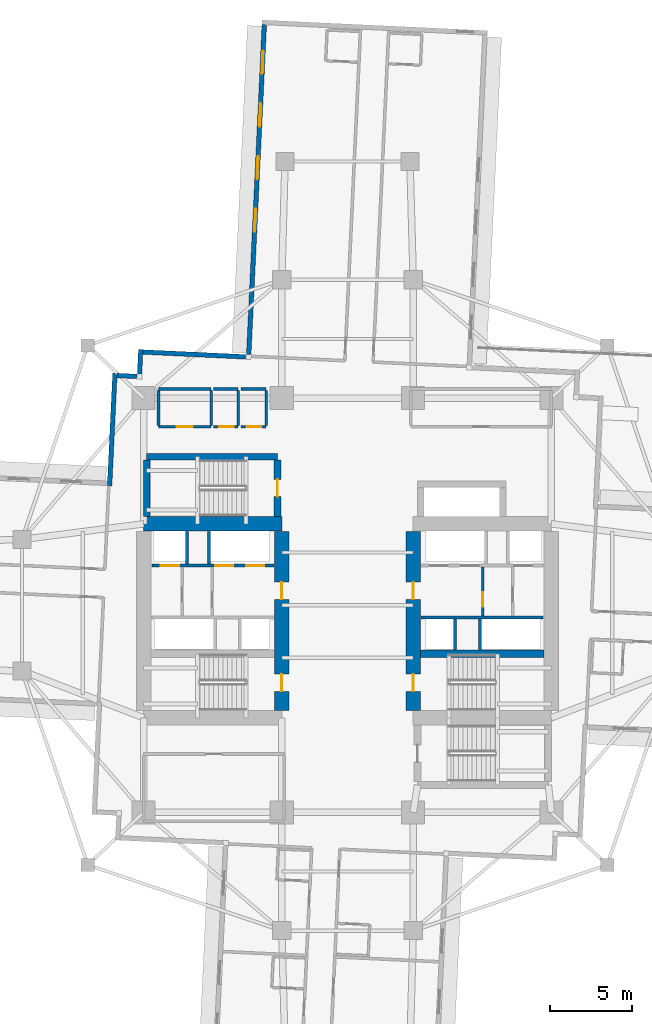
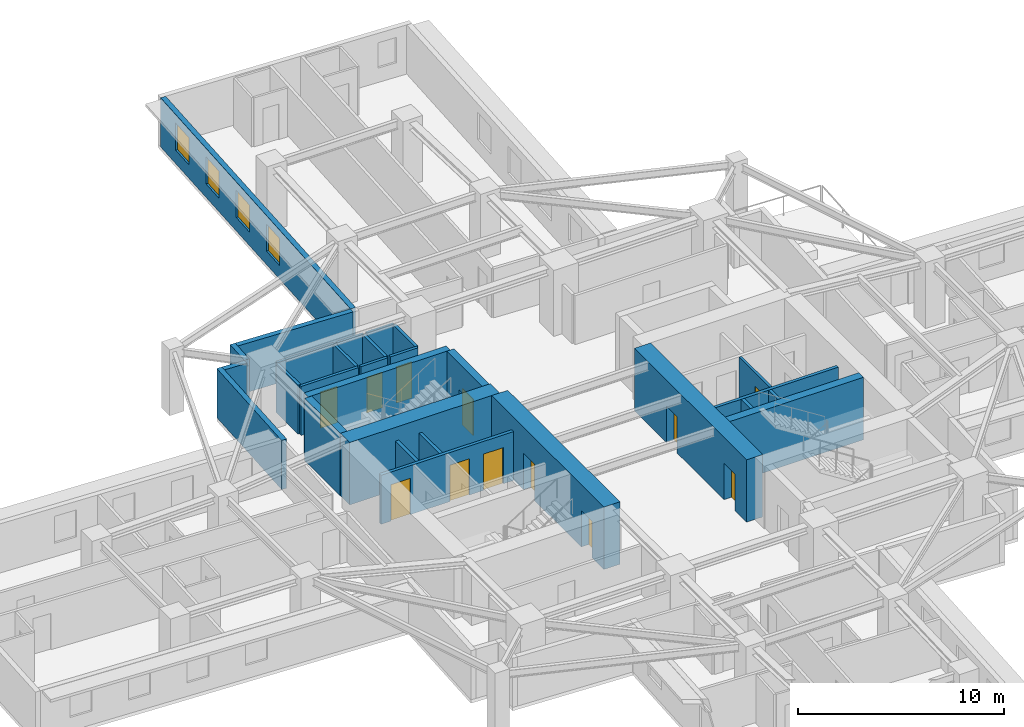
# One storey, part 6 of 14: 29 walls, 12 doors, 4 windows, 16 openings.
"""IFC4 building model written with IfcOpenShell, lengths in metres."""

import ifcopenshell
import ifcopenshell.guid

model = None  # the IFC model being written
_history = None  # IfcOwnerHistory: only IFC2X3 demands one
_inside = {}  # id of a spatial element -> (the spatial element, [elements in it])
_under = {}  # id of a project, library or spatial element -> (it, [spatial elements below it])
_declared = {}  # id of a project -> (the project, [libraries it declares])
_typed = {}  # id of a type object -> (the type object, [elements of that type])
_made_of = {}  # id of a material, layer set ... -> (it, [elements and type objects made of it])


def new_model(schema):
    """Start an empty IFC model of exactly this schema.

    Asked for "IFC4X3", IfcOpenShell would pick the latest addendum, in which some entities
    have other attributes; the version numbers below select the first issue.
    IFC2X3 requires an IfcOwnerHistory on every rooted entity: one is made here for all.
    """
    global model, _history
    if schema == "IFC4X3":
        model = ifcopenshell.file(schema_version=(4, 3, 0, 0))
    else:
        model = ifcopenshell.file(schema=schema)
    _inside.clear()
    _under.clear()
    _declared.clear()
    _typed.clear()
    _made_of.clear()
    _history = None
    if model.schema == "IFC2X3":
        org = make("IfcOrganization", Name="unknown")
        user = make(
            "IfcPersonAndOrganization",
            ThePerson=make("IfcPerson", FamilyName="unknown"),
            TheOrganization=org,
        )
        app = make(
            "IfcApplication",
            ApplicationDeveloper=org,
            Version="unknown",
            ApplicationFullName="unknown",
            ApplicationIdentifier="unknown",
        )
        _history = make(
            "IfcOwnerHistory",
            OwningUser=user,
            OwningApplication=app,
            ChangeAction="ADDED",
            CreationDate=0,
        )
    return model


def make(cls, **values):
    """One entity of the class cls with the attributes given. An attribute that is None is left unset."""
    return model.create_entity(
        cls, **{name: value for name, value in values.items() if value is not None}
    )


def rooted(cls, **values):
    """An entity with a GlobalId (a new one), such as an element, a storey or a relation."""
    return make(cls, GlobalId=ifcopenshell.guid.new(), OwnerHistory=_history, **values)


def si_unit(unit_type, name, prefix=None):
    """IfcSIUnit, for example si_unit("LENGTHUNIT", "METRE", prefix="MILLI")."""
    return make("IfcSIUnit", UnitType=unit_type, Prefix=prefix, Name=name)


def assignment(units):
    """IfcUnitAssignment: the units of a project."""
    return None if units is None else make("IfcUnitAssignment", Units=units)


def point(xyz):
    """IfcCartesianPoint."""
    return None if xyz is None else make("IfcCartesianPoint", Coordinates=xyz)


def direction(xyz):
    """IfcDirection."""
    return None if xyz is None else make("IfcDirection", DirectionRatios=xyz)


def frame(location, z_axis=None, x_axis=None):
    """IfcAxis2Placement3D, a coordinate frame: its origin and axes. An axis left out is left unset."""
    return make(
        "IfcAxis2Placement3D",
        Location=point(location),
        Axis=direction(z_axis),
        RefDirection=direction(x_axis),
    )


def frame_2d(location, x_axis=None):
    """IfcAxis2Placement2D, a coordinate frame in the plane: its origin and x axis."""
    return make(
        "IfcAxis2Placement2D", Location=point(location), RefDirection=direction(x_axis)
    )


def origin():
    """The frame at (0, 0, 0) with its axes left unset."""
    return frame((0.0, 0.0, 0.0))


def place(relative_to, where):
    """IfcLocalPlacement: puts the frame where relative to a parent placement (None: the world)."""
    return make(
        "IfcLocalPlacement", PlacementRelTo=relative_to, RelativePlacement=where
    )


def context(
    kind, dimensions, precision=None, world=None, true_north=None, identifier=None
):
    """IfcGeometricRepresentationContext, for example the 3D "Model" context."""
    return make(
        "IfcGeometricRepresentationContext",
        ContextIdentifier=identifier,
        ContextType=kind,
        CoordinateSpaceDimension=dimensions,
        Precision=precision,
        WorldCoordinateSystem=world,
        TrueNorth=true_north,
    )


def subcontext(parent, identifier, kind, view, scale=None):
    """IfcGeometricRepresentationSubContext, for example "Body" below "Model"."""
    return make(
        "IfcGeometricRepresentationSubContext",
        ContextIdentifier=identifier,
        ContextType=kind,
        ParentContext=parent,
        TargetScale=scale,
        TargetView=view,
    )


def project(units=None, contexts=None):
    """IfcProject with its units and contexts."""
    return rooted(
        "IfcProject",
        Name="project",
        RepresentationContexts=contexts,
        UnitsInContext=assignment(units),
    )


def spatial(cls, under=None, at=None, **own):
    """A site, building, storey or space (cls), placed at a placement, below another one or the project."""
    s = rooted(cls, ObjectPlacement=at, **own)
    if under is not None:
        _under.setdefault(under.id(), (under, []))[1].append(s)
    return s


def profile(cls, at=None, kind="AREA", **sizes):
    """A parametric profile (cls). Its sizes go by their IFC names, for example OverallWidth=200.0."""
    return make(cls, ProfileType=kind, Position=at, **sizes)


def rectangle(**sizes):
    """IfcRectangleProfileDef."""
    return profile("IfcRectangleProfileDef", **sizes)


def extrude(swept, where, along, depth):
    """IfcExtrudedAreaSolid: the profile swept, set in the frame where, extruded along a direction by depth."""
    return make(
        "IfcExtrudedAreaSolid",
        SweptArea=swept,
        Position=where,
        ExtrudedDirection=direction(along),
        Depth=depth,
    )


def shape(context_of_items, identifier, shape_type, items):
    """IfcShapeRepresentation: the items that make up one representation, for example the "Body"."""
    return make(
        "IfcShapeRepresentation",
        ContextOfItems=context_of_items,
        RepresentationIdentifier=identifier,
        RepresentationType=shape_type,
        Items=items,
    )


def material(Name=None, Category=None):
    """IfcMaterial."""
    return make("IfcMaterial", Name=Name, Category=Category)


def layer(
    of_material, thickness, ventilated=None, Name=None, Category=None, Priority=None
):
    """IfcMaterialLayer: one layer of a wall or slab, of a material (None: an air gap)."""
    return make(
        "IfcMaterialLayer",
        Material=of_material,
        LayerThickness=thickness,
        IsVentilated=ventilated,
        Name=Name,
        Category=Category,
        Priority=Priority,
    )


def layer_set(layers, Name=None):
    """IfcMaterialLayerSet."""
    return make("IfcMaterialLayerSet", MaterialLayers=layers, LayerSetName=Name)


def made_of(thing, what):
    """Note that an element or type object is made of a material, layer set ...; save() writes the relation."""
    if what is not None:
        _made_of.setdefault(what.id(), (what, []))[1].append(thing)
    return thing


def type_object(cls, material=None, **own):
    """A type object (cls), such as IfcWallType, which elements share."""
    return made_of(rooted(cls, **own), material)


def element(
    cls,
    number,
    at=None,
    inside=None,
    cuts=None,
    type_object=None,
    material=None,
    context=None,
    identifier="Body",
    shape_type=None,
    held_by="IfcProductDefinitionShape",
    body=None,
    shapes=None,
    **own,
):
    """One element of the class cls, such as IfcWall. Its Tag is "e" and its number.

    at: its placement. inside: the storey or other place that contains it. cuts: it is an
    opening in that element (IfcRelVoidsElement). A single representation is given by context,
    identifier, shape_type and body (its items); several are given by shapes. held_by: the class
    of the entity that holds the representations. save() writes the other relations.
    """
    e = rooted(cls, Tag="e%d" % number, ObjectPlacement=at, **own)
    if body is not None:
        shapes = [shape(context, identifier, shape_type, body)]
    if shapes is not None:
        e.Representation = make(held_by, Representations=shapes)
    if inside is not None:
        _inside.setdefault(inside.id(), (inside, []))[1].append(e)
    if cuts is not None:
        rooted(
            "IfcRelVoidsElement", RelatingBuildingElement=cuts, RelatedOpeningElement=e
        )
    if type_object is not None:
        _typed.setdefault(type_object.id(), (type_object, []))[1].append(e)
    return made_of(e, material)


def fill(opening, filler):
    """IfcRelFillsElement: the door or window that sits in an opening."""
    return rooted(
        "IfcRelFillsElement",
        RelatingOpeningElement=opening,
        RelatedBuildingElement=filler,
    )


def aggregate(whole, parts):
    """IfcRelAggregates: a whole, such as a stair, and the parts it consists of."""
    return rooted("IfcRelAggregates", RelatingObject=whole, RelatedObjects=parts)


def save(model, path):
    """Write the relations noted so far, then the file.

    IfcRelAggregates (storeys below a building ...), IfcRelContainedInSpatialStructure (elements
    in a storey), IfcRelDefinesByType, IfcRelAssociatesMaterial and IfcRelDeclares: one each for
    every whole, place, type object, material and project.
    """
    for whole, parts in _under.values():
        aggregate(whole, parts)
    for where, things in _inside.values():
        rooted(
            "IfcRelContainedInSpatialStructure",
            RelatedElements=things,
            RelatingStructure=where,
        )
    for kind, things in _typed.values():
        rooted("IfcRelDefinesByType", RelatedObjects=things, RelatingType=kind)
    for what, things in _made_of.values():
        rooted("IfcRelAssociatesMaterial", RelatedObjects=things, RelatingMaterial=what)
    for by, libraries in _declared.values():
        rooted("IfcRelDeclares", RelatingContext=by, RelatedDefinitions=libraries)
    model.write(path)


model = new_model("IFC4")

# Units and contexts
model_context = context("Model", 3, precision=1e-05, world=origin(), true_north=direction((0.0, 1.0)))
body_context = subcontext(model_context, "Body", "Model", "MODEL_VIEW")
ifc_project = project(units=[si_unit("LENGTHUNIT", "METRE"), si_unit("AREAUNIT", "SQUARE_METRE"), si_unit("VOLUMEUNIT", "CUBIC_METRE"), si_unit("PLANEANGLEUNIT", "RADIAN"), si_unit("MASSUNIT", "GRAM", prefix="KILO")], contexts=[model_context])

# Site, building, storey
site_placement = place(None, origin())
site = spatial("IfcSite", under=ifc_project, at=site_placement, CompositionType="ELEMENT")
building_placement = place(site_placement, origin())
building = spatial("IfcBuilding", under=site, at=building_placement, Name="Qingluan Cross Belvedere", CompositionType="ELEMENT")
storey_placement = place(building_placement, frame((0.0, 0.0, 75.60009765625)))
storey = spatial("IfcBuildingStorey", under=building, at=storey_placement, Name="L19", CompositionType="ELEMENT", Elevation=75.60009765625)

# Walls
ifc_material_1 = material(Name="Concrete C50", Category="concrete")
ifc_layer_1 = layer(ifc_material_1, 0.449951171875, Name="CoreShearWall_450")
ifc_layer_set_1 = layer_set([ifc_layer_1], Name="Concrete C50")
wall_type_1 = type_object("IfcWallType", Name="CoreShearWall_450", PredefinedType="SHEAR", material=ifc_layer_set_1)
wall_1_placement = place(storey_placement, frame((4.455078125, -2.9599609375, 0.0), z_axis=(0.0, 0.0, 1.0), x_axis=(1.0, 0.0, 0.0)))
element("IfcWall", 1, at=wall_1_placement, inside=storey, type_object=wall_type_1, Name="Split core E shear wall L19-M", PredefinedType="SHEAR", context=body_context, shape_type="SweptSolid", body=[
    extrude(rectangle(XDim=7.489990234375, YDim=0.449951171875, at=frame_2d((3.7451171875, 0.0))), origin(), (0.0, 0.0, 1.0), 3.699951171875),
])
wall_2_placement = place(storey_placement, frame((-12.219970703125, 9.0400390625, 0.0), z_axis=(0.0, 0.0, 1.0), x_axis=(1.0, 0.0, 0.0)))
element("IfcWall", 2, at=wall_2_placement, inside=storey, type_object=wall_type_1, Name="Stair ST3 structural wall N L19", PredefinedType="SHEAR", context=body_context, shape_type="SweptSolid", body=[
    extrude(rectangle(XDim=7.9599609375, YDim=0.39990234375, at=frame_2d((3.97998046875, 0.0))), origin(), (0.0, 0.0, 1.0), 3.699951171875),
])
wall_3_placement = place(storey_placement, frame((-12.219970703125, 5.405029296875, 0.0), z_axis=(0.0, 0.0, 1.0), x_axis=(0.0, 1.0, 0.0)))
element("IfcWall", 3, at=wall_3_placement, inside=storey, type_object=wall_type_1, Name="Stair ST3 structural wall W L19", PredefinedType="SHEAR", context=body_context, shape_type="SweptSolid", body=[
    extrude(rectangle(XDim=3.429931640625, YDim=0.39990234375, at=frame_2d((1.71484375, 0.0))), origin(), (0.0, 0.0, 1.0), 3.699951171875),
])

# Wall, opening, door
wall_4_placement = place(storey_placement, frame((-4.260009765625, 5.405029296875, 0.0), z_axis=(0.0, 0.0, 1.0), x_axis=(0.0, 1.0, 0.0)))
wall_4 = element("IfcWall", 4, at=wall_4_placement, inside=storey, type_object=wall_type_1, Name="Stair ST3 structural wall E L19", PredefinedType="SHEAR", context=body_context, shape_type="SweptSolid", body=[
    extrude(rectangle(XDim=3.429931640625, YDim=0.39990234375, at=frame_2d((1.71484375, 0.0))), origin(), (0.0, 0.0, 1.0), 3.699951171875),
])
opening_1_placement = place(wall_4_placement, frame((1.195068359375, 0.0, 0.0)))
opening_1 = element("IfcOpeningElement", 5, at=opening_1_placement, cuts=wall_4, Name="Opening FD-B11", PredefinedType="OPENING", context=body_context, shape_type="SweptSolid", body=[
    extrude(rectangle(XDim=1.050048828125, YDim=2.14990234375, at=frame_2d((0.52490234375, 1.074951171875))), frame((0.0, 0.2099609375, 0.0), z_axis=(0.0, -1.0, 0.0), x_axis=(1.0, 0.0, 0.0)), (0.0, 0.0, 1.0), 0.419921875),
])
ifc_material_2 = material(Name="Steel Class B smoke-seal fire door", Category="steel")
door_type_1 = type_object("IfcDoorType", Name="StairLobbyFireDoor_FDB", OperationType="NOTDEFINED", PredefinedType="DOOR", material=ifc_material_2)
door_1_placement = place(opening_1_placement, origin())
door_1 = element("IfcDoor", 6, at=door_1_placement, inside=storey, type_object=door_type_1, Name="Smoke-proof stair ST3 fire door L19", OperationType="SINGLE_SWING_RIGHT", OverallHeight=2.14990234375, OverallWidth=1.050048828125, PredefinedType="DOOR", context=body_context, shape_type="SweptSolid", body=[
    extrude(rectangle(XDim=1.050048828125, YDim=2.14990234375, at=frame_2d((0.52490234375, 1.074951171875))), frame((0.0, 0.02490234375, 0.0), z_axis=(0.0, -1.0, 0.0), x_axis=(1.0, 0.0, 0.0)), (0.0, 0.0, 1.0), 0.050048828125),
])
fill(opening_1, door_1)

# Wall
ifc_material_3 = material(Name="Concrete C70", Category="concrete")
ifc_layer_2 = layer(ifc_material_3, 0.89990234375, Name="CoreShearWall_900")
ifc_layer_set_2 = layer_set([ifc_layer_2], Name="Concrete C70")
wall_type_2 = type_object("IfcWallType", Name="CoreShearWall_900", PredefinedType="SHEAR", material=ifc_layer_set_2)
wall_5_placement = place(storey_placement, frame((-12.39990234375, 4.949951171875, 0.0), z_axis=(0.0, 0.0, 1.0), x_axis=(1.0, 0.0, 0.0)))
element("IfcWall", 7, at=wall_5_placement, inside=storey, type_object=wall_type_2, Name="Split core W shear wall L19-N", PredefinedType="SHEAR", context=body_context, shape_type="SweptSolid", body=[
    extrude(rectangle(XDim=8.39990234375, YDim=0.89990234375, at=frame_2d((4.199951171875, 0.0))), origin(), (0.0, 0.0, 1.0), 3.699951171875),
])

# Wall, openings, doors
wall_6_placement = place(storey_placement, frame((-4.0, -6.39501953125, 0.0), z_axis=(0.0, 0.0, 1.0), x_axis=(0.0, 1.0, 0.0)))
wall_6 = element("IfcWall", 8, at=wall_6_placement, inside=storey, type_object=wall_type_2, Name="Split core W shear wall L19-E", PredefinedType="SHEAR", context=body_context, shape_type="SweptSolid", body=[
    extrude(rectangle(XDim=10.89013671875, YDim=0.89990234375, at=frame_2d((5.445068359375, 0.0))), origin(), (0.0, 0.0, 1.0), 3.699951171875),
])
opening_2_placement = place(wall_6_placement, frame((1.14501953125, 0.0, 0.0)))
opening_2 = element("IfcOpeningElement", 9, at=opening_2_placement, cuts=wall_6, Name="Opening FD-B11", PredefinedType="OPENING", context=body_context, shape_type="SweptSolid", body=[
    extrude(rectangle(XDim=1.050048828125, YDim=2.14990234375, at=frame_2d((0.52490234375, 1.074951171875))), frame((0.0, 0.4599609375, 0.0), z_axis=(0.0, -1.0, 0.0), x_axis=(1.0, 0.0, 0.0)), (0.0, 0.0, 1.0), 0.919921875),
])
opening_3_placement = place(wall_6_placement, frame((6.7451171875, 0.0, 0.0)))
opening_3 = element("IfcOpeningElement", 10, at=opening_3_placement, cuts=wall_6, Name="Opening FD-B11", PredefinedType="OPENING", context=body_context, shape_type="SweptSolid", body=[
    extrude(rectangle(XDim=1.050048828125, YDim=2.14990234375, at=frame_2d((0.52490234375, 1.074951171875))), frame((0.0, 0.4599609375, 0.0), z_axis=(0.0, -1.0, 0.0), x_axis=(1.0, 0.0, 0.0)), (0.0, 0.0, 1.0), 0.919921875),
])
door_2_placement = place(opening_2_placement, origin())
door_2 = element("IfcDoor", 11, at=door_2_placement, inside=storey, type_object=door_type_1, Name="Smoke-proof stair ST1 fire door L19", OperationType="SINGLE_SWING_RIGHT", OverallHeight=2.14990234375, OverallWidth=1.050048828125, PredefinedType="DOOR", context=body_context, shape_type="SweptSolid", body=[
    extrude(rectangle(XDim=1.050048828125, YDim=2.14990234375, at=frame_2d((0.52490234375, 1.074951171875))), frame((0.0, 0.02490234375, 0.0), z_axis=(0.0, -1.0, 0.0), x_axis=(1.0, 0.0, 0.0)), (0.0, 0.0, 1.0), 0.050048828125),
])
fill(opening_2, door_2)
door_3_placement = place(opening_3_placement, origin())
door_3 = element("IfcDoor", 12, at=door_3_placement, inside=storey, type_object=door_type_1, Name="Firefighting lobby West fire door L19", OperationType="SINGLE_SWING_RIGHT", OverallHeight=2.14990234375, OverallWidth=1.050048828125, PredefinedType="DOOR", context=body_context, shape_type="SweptSolid", body=[
    extrude(rectangle(XDim=1.050048828125, YDim=2.14990234375, at=frame_2d((0.52490234375, 1.074951171875))), frame((0.0, 0.02490234375, 0.0), z_axis=(0.0, -1.0, 0.0), x_axis=(1.0, 0.0, 0.0)), (0.0, 0.0, 1.0), 0.050048828125),
])
fill(opening_3, door_3)

wall_7_placement = place(storey_placement, frame((4.0, -6.39501953125, 0.0), z_axis=(0.0, 0.0, 1.0), x_axis=(0.0, 1.0, 0.0)))
wall_7 = element("IfcWall", 13, at=wall_7_placement, inside=storey, type_object=wall_type_2, Name="Split core E shear wall L19-W", PredefinedType="SHEAR", context=body_context, shape_type="SweptSolid", body=[
    extrude(rectangle(XDim=10.89013671875, YDim=0.89990234375, at=frame_2d((5.445068359375, 0.0))), origin(), (0.0, 0.0, 1.0), 3.699951171875),
])
opening_4_placement = place(wall_7_placement, frame((1.14501953125, 0.0, 0.0)))
opening_4 = element("IfcOpeningElement", 14, at=opening_4_placement, cuts=wall_7, Name="Opening FD-B11", PredefinedType="OPENING", context=body_context, shape_type="SweptSolid", body=[
    extrude(rectangle(XDim=1.050048828125, YDim=2.14990234375, at=frame_2d((0.52490234375, 1.074951171875))), frame((0.0, 0.4599609375, 0.0), z_axis=(0.0, -1.0, 0.0), x_axis=(1.0, 0.0, 0.0)), (0.0, 0.0, 1.0), 0.919921875),
])
opening_5_placement = place(wall_7_placement, frame((6.7451171875, 0.0, 0.0)))
opening_5 = element("IfcOpeningElement", 15, at=opening_5_placement, cuts=wall_7, Name="Opening FD-B11", PredefinedType="OPENING", context=body_context, shape_type="SweptSolid", body=[
    extrude(rectangle(XDim=1.050048828125, YDim=2.14990234375, at=frame_2d((0.52490234375, 1.074951171875))), frame((0.0, 0.4599609375, 0.0), z_axis=(0.0, -1.0, 0.0), x_axis=(1.0, 0.0, 0.0)), (0.0, 0.0, 1.0), 0.919921875),
])
door_4_placement = place(opening_4_placement, origin())
door_4 = element("IfcDoor", 16, at=door_4_placement, inside=storey, type_object=door_type_1, Name="Smoke-proof stair ST2 fire door L19", OperationType="SINGLE_SWING_LEFT", OverallHeight=2.14990234375, OverallWidth=1.050048828125, PredefinedType="DOOR", context=body_context, shape_type="SweptSolid", body=[
    extrude(rectangle(XDim=1.050048828125, YDim=2.14990234375, at=frame_2d((0.52490234375, 1.074951171875))), frame((0.0, 0.02490234375, 0.0), z_axis=(0.0, -1.0, 0.0), x_axis=(1.0, 0.0, 0.0)), (0.0, 0.0, 1.0), 0.050048828125),
])
fill(opening_4, door_4)
door_5_placement = place(opening_5_placement, origin())
door_5 = element("IfcDoor", 17, at=door_5_placement, inside=storey, type_object=door_type_1, Name="Firefighting lobby East fire door L19", OperationType="SINGLE_SWING_LEFT", OverallHeight=2.14990234375, OverallWidth=1.050048828125, PredefinedType="DOOR", context=body_context, shape_type="SweptSolid", body=[
    extrude(rectangle(XDim=1.050048828125, YDim=2.14990234375, at=frame_2d((0.52490234375, 1.074951171875))), frame((0.0, 0.02490234375, 0.0), z_axis=(0.0, -1.0, 0.0), x_axis=(1.0, 0.0, 0.0)), (0.0, 0.0, 1.0), 0.050048828125),
])
fill(opening_5, door_5)

# Wall, opening, door
ifc_material_4 = material(Name="Gypsum plasterboard on steel stud acoustic partition", Category="steel")
ifc_layer_3 = layer(ifc_material_4, 0.159912109375, Name="CorridorPartition_160")
ifc_layer_set_3 = layer_set([ifc_layer_3], Name="Gypsum plasterboard on steel stud acoustic partition")
wall_type_3 = type_object("IfcWallType", Name="CorridorPartition_160", PredefinedType="PARTITIONING", material=ifc_layer_set_3)
wall_8_placement = place(storey_placement, frame((-11.5, 10.85009765625, 0.0), z_axis=(0.0, 0.0, 1.0), x_axis=(1.0, 0.0, 0.0)))
wall_8 = element("IfcWall", 18, at=wall_8_placement, inside=storey, type_object=wall_type_3, Name="Partition L19:q_nw_occ:S", PredefinedType="PARTITIONING", context=body_context, shape_type="SweptSolid", body=[
    extrude(rectangle(XDim=3.199951171875, YDim=0.159912109375, at=frame_2d((1.60009765625, 0.0))), origin(), (0.0, 0.0, 1.0), 2.89990234375),
])
opening_6_placement = place(wall_8_placement, frame((1.1201171875, 0.0, 0.0)))
opening_6 = element("IfcOpeningElement", 19, at=opening_6_placement, cuts=wall_8, Name="Opening GD-10", PredefinedType="OPENING", context=body_context, shape_type="SweptSolid", body=[
    extrude(rectangle(XDim=0.9599609375, YDim=2.14990234375, at=frame_2d((0.47998046875, 1.074951171875))), frame((0.0, 0.08984375, 0.0), z_axis=(0.0, -1.0, 0.0), x_axis=(1.0, 0.0, 0.0)), (0.0, 0.0, 1.0), 0.179931640625),
])
ifc_material_5 = material(Name="Timber oak fire-rated acoustic guestroom door", Category="wood")
door_type_2 = type_object("IfcDoorType", Name="GuestEntryDoor_FD60", OperationType="NOTDEFINED", PredefinedType="DOOR", material=ifc_material_5)
door_6_placement = place(opening_6_placement, origin())
door_6 = element("IfcDoor", 20, at=door_6_placement, inside=storey, type_object=door_type_2, Name="Northwest corner reading salon L19 door", OperationType="SINGLE_SWING_RIGHT", OverallHeight=2.14990234375, OverallWidth=0.9599609375, PredefinedType="DOOR", context=body_context, shape_type="SweptSolid", body=[
    extrude(rectangle(XDim=0.9599609375, YDim=2.14990234375, at=frame_2d((0.47998046875, 1.074951171875))), frame((0.0, 0.02490234375, 0.0), z_axis=(0.0, -1.0, 0.0), x_axis=(1.0, 0.0, 0.0)), (0.0, 0.0, 1.0), 0.050048828125),
])
fill(opening_6, door_6)

# Walls
wall_9_placement = place(storey_placement, frame((-11.5, 13.14990234375, 0.0), z_axis=(0.0, 0.0, 1.0), x_axis=(1.0, 0.0, 0.0)))
element("IfcWall", 21, at=wall_9_placement, inside=storey, type_object=wall_type_3, Name="Partition L19:q_nw_occ:N", PredefinedType="PARTITIONING", context=body_context, shape_type="SweptSolid", body=[
    extrude(rectangle(XDim=3.199951171875, YDim=0.159912109375, at=frame_2d((1.60009765625, 0.0))), origin(), (0.0, 0.0, 1.0), 2.89990234375),
])
for number, where, z_axis, x_axis, name in (
    (22, (-11.5, 10.93505859375, 0.0), (0.0, 0.0, 1.0), (0.0, 1.0, 0.0), "Partition L19:q_nw_occ:W"),
    (23, (-8.300048828125, 10.93505859375, 0.0), (0.0, 0.0, 1.0), (0.0, 1.0, 0.0), "Partition L19:q_nw_occ:E"),
):
    element("IfcWall", number, at=place(storey_placement, frame(where, z_axis=z_axis, x_axis=x_axis)), inside=storey, type_object=wall_type_3, Name=name, PredefinedType="PARTITIONING", context=body_context, shape_type="SweptSolid", body=[
        extrude(rectangle(XDim=2.1298828125, YDim=0.159912109375, at=frame_2d((1.06494140625, 0.0))), origin(), (0.0, 0.0, 1.0), 2.89990234375),
    ])

# Wall, opening, door
wall_10_placement = place(storey_placement, frame((-8.139892578125, 10.85009765625, 0.0), z_axis=(0.0, 0.0, 1.0), x_axis=(1.0, 0.0, 0.0)))
wall_10 = element("IfcWall", 24, at=wall_10_placement, inside=storey, type_object=wall_type_3, Name="Partition L19:hk_linen:S", PredefinedType="PARTITIONING", context=body_context, shape_type="SweptSolid", body=[
    extrude(rectangle(XDim=1.489990234375, YDim=0.159912109375, at=frame_2d((0.7451171875, 0.0))), origin(), (0.0, 0.0, 1.0), 2.89990234375),
])
opening_7_placement = place(wall_10_placement, frame((0.35009765625, 0.0, 0.0)))
opening_7 = element("IfcOpeningElement", 25, at=opening_7_placement, cuts=wall_10, Name="Opening FD-B10", PredefinedType="OPENING", context=body_context, shape_type="SweptSolid", body=[
    extrude(rectangle(XDim=0.8798828125, YDim=2.10009765625, at=frame_2d((0.43994140625, 1.050048828125))), frame((0.0, 0.08984375, 0.0), z_axis=(0.0, -1.0, 0.0), x_axis=(1.0, 0.0, 0.0)), (0.0, 0.0, 1.0), 0.179931640625),
])
ifc_material_6 = material(Name="Steel Class B service fire door", Category="steel")
door_type_3 = type_object("IfcDoorType", Name="RiserServiceFireDoor_FDB", OperationType="NOTDEFINED", PredefinedType="DOOR", material=ifc_material_6)
door_7_placement = place(opening_7_placement, origin())
door_7 = element("IfcDoor", 26, at=door_7_placement, inside=storey, type_object=door_type_3, Name="Housekeeping and linen store L19 door", OperationType="SINGLE_SWING_LEFT", OverallHeight=2.10009765625, OverallWidth=0.8798828125, PredefinedType="DOOR", context=body_context, shape_type="SweptSolid", body=[
    extrude(rectangle(XDim=0.8798828125, YDim=2.10009765625, at=frame_2d((0.43994140625, 1.050048828125))), frame((0.0, 0.02490234375, 0.0), z_axis=(0.0, -1.0, 0.0), x_axis=(1.0, 0.0, 0.0)), (0.0, 0.0, 1.0), 0.050048828125),
])
fill(opening_7, door_7)

# Walls
wall_11_placement = place(storey_placement, frame((-8.139892578125, 13.14990234375, 0.0), z_axis=(0.0, 0.0, 1.0), x_axis=(1.0, 0.0, 0.0)))
element("IfcWall", 27, at=wall_11_placement, inside=storey, type_object=wall_type_3, Name="Partition L19:hk_linen:N", PredefinedType="PARTITIONING", context=body_context, shape_type="SweptSolid", body=[
    extrude(rectangle(XDim=1.489990234375, YDim=0.159912109375, at=frame_2d((0.7451171875, 0.0))), origin(), (0.0, 0.0, 1.0), 2.89990234375),
])
wall_12_placement = place(storey_placement, frame((-6.64990234375, 10.93505859375, 0.0), z_axis=(0.0, 0.0, 1.0), x_axis=(0.0, 1.0, 0.0)))
element("IfcWall", 28, at=wall_12_placement, inside=storey, type_object=wall_type_3, Name="Partition L19:hk_linen:E", PredefinedType="PARTITIONING", context=body_context, shape_type="SweptSolid", body=[
    extrude(rectangle(XDim=2.1298828125, YDim=0.159912109375, at=frame_2d((1.06494140625, 0.0))), origin(), (0.0, 0.0, 1.0), 2.89990234375),
])

# Wall, opening, door
wall_13_placement = place(storey_placement, frame((-6.489990234375, 10.85009765625, 0.0), z_axis=(0.0, 0.0, 1.0), x_axis=(1.0, 0.0, 0.0)))
wall_13 = element("IfcWall", 29, at=wall_13_placement, inside=storey, type_object=wall_type_3, Name="Partition L19:floor_acc_wc:S", PredefinedType="PARTITIONING", context=body_context, shape_type="SweptSolid", body=[
    extrude(rectangle(XDim=1.5400390625, YDim=0.159912109375, at=frame_2d((0.77001953125, 0.0))), origin(), (0.0, 0.0, 1.0), 2.89990234375),
])
opening_8_placement = place(wall_13_placement, frame((0.35009765625, 0.0, 0.0)))
opening_8 = element("IfcOpeningElement", 30, at=opening_8_placement, cuts=wall_13, Name="Opening BD-08", PredefinedType="OPENING", context=body_context, shape_type="SweptSolid", body=[
    extrude(rectangle(XDim=0.8798828125, YDim=2.14990234375, at=frame_2d((0.43994140625, 1.074951171875))), frame((0.0, 0.08984375, 0.0), z_axis=(0.0, -1.0, 0.0), x_axis=(1.0, 0.0, 0.0)), (0.0, 0.0, 1.0), 0.179931640625),
])
ifc_material_7 = material(Name="Moisture-sealed timber accessible WC door", Category="wood")
door_type_4 = type_object("IfcDoorType", Name="AccessibleWCDoor_880", OperationType="NOTDEFINED", PredefinedType="DOOR", material=ifc_material_7)
door_8_placement = place(opening_8_placement, origin())
door_8 = element("IfcDoor", 31, at=door_8_placement, inside=storey, type_object=door_type_4, Name="Accessible guest washroom L19 door", OperationType="SINGLE_SWING_RIGHT", OverallHeight=2.14990234375, OverallWidth=0.8798828125, PredefinedType="DOOR", context=body_context, shape_type="SweptSolid", body=[
    extrude(rectangle(XDim=0.8798828125, YDim=2.14990234375, at=frame_2d((0.43994140625, 1.074951171875))), frame((0.0, 0.02490234375, 0.0), z_axis=(0.0, -1.0, 0.0), x_axis=(1.0, 0.0, 0.0)), (0.0, 0.0, 1.0), 0.050048828125),
])
fill(opening_8, door_8)

# Walls
wall_14_placement = place(storey_placement, frame((-6.489990234375, 13.14990234375, 0.0), z_axis=(0.0, 0.0, 1.0), x_axis=(1.0, 0.0, 0.0)))
element("IfcWall", 32, at=wall_14_placement, inside=storey, type_object=wall_type_3, Name="Partition L19:floor_acc_wc:N", PredefinedType="PARTITIONING", context=body_context, shape_type="SweptSolid", body=[
    extrude(rectangle(XDim=1.5400390625, YDim=0.159912109375, at=frame_2d((0.77001953125, 0.0))), origin(), (0.0, 0.0, 1.0), 2.89990234375),
])
wall_15_placement = place(storey_placement, frame((-4.949951171875, 10.93505859375, 0.0), z_axis=(0.0, 0.0, 1.0), x_axis=(0.0, 1.0, 0.0)))
element("IfcWall", 33, at=wall_15_placement, inside=storey, type_object=wall_type_3, Name="Partition L19:floor_acc_wc:E", PredefinedType="PARTITIONING", context=body_context, shape_type="SweptSolid", body=[
    extrude(rectangle(XDim=2.1298828125, YDim=0.159912109375, at=frame_2d((1.06494140625, 0.0))), origin(), (0.0, 0.0, 1.0), 2.89990234375),
])

# Wall, openings, windows
ifc_material_8 = material(Name="Precast concrete C45", Category="concrete")
ifc_layer_4 = layer(ifc_material_8, 0.280029296875, Name="PrecastFacadeWall_280")
ifc_layer_set_4 = layer_set([ifc_layer_4], Name="Precast concrete C45")
wall_type_4 = type_object("IfcWallType", Name="PrecastFacadeWall_280", PredefinedType="STANDARD", material=ifc_layer_set_4)
wall_16_placement = place(storey_placement, frame((-5.06201171875, 35.317626953125, 0.0), z_axis=(0.0, 0.0, 1.0), x_axis=(-0.047103473814, -0.998890015344, 0.0)))
wall_16 = element("IfcWall", 34, at=wall_16_placement, inside=storey, type_object=wall_type_4, Name="Facade wall L19-NB", PredefinedType="STANDARD", context=body_context, shape_type="SweptSolid", body=[
    extrude(rectangle(XDim=20.099853515625, YDim=0.280029296875, at=frame_2d((10.0498046875, 0.0))), origin(), (0.0, 0.0, 1.0), 2.909912109375),
])
opening_9_placement = place(wall_16_placement, frame((1.60009765625, 0.0, 0.800048828125)))
opening_9 = element("IfcOpeningElement", 35, at=opening_9_placement, cuts=wall_16, Name="Opening W-01", PredefinedType="OPENING", context=body_context, shape_type="SweptSolid", body=[
    extrude(rectangle(XDim=1.39990234375, YDim=1.60009765625, at=frame_2d((0.699951171875, 0.800048828125))), frame((0.0, 0.14990234375, 0.0), z_axis=(0.0, -1.0, 0.0), x_axis=(1.0, 0.0, 0.0)), (0.0, 0.0, 1.0), 0.300048828125),
])
opening_10_placement = place(wall_16_placement, frame((4.800048828125, 0.0, 0.800048828125)))
opening_10 = element("IfcOpeningElement", 36, at=opening_10_placement, cuts=wall_16, Name="Opening W-01", PredefinedType="OPENING", context=body_context, shape_type="SweptSolid", body=[
    extrude(rectangle(XDim=1.39990234375, YDim=1.60009765625, at=frame_2d((0.699951171875, 0.800048828125))), frame((0.0, 0.14990234375, 0.0), z_axis=(0.0, -1.0, 0.0), x_axis=(1.0, 0.0, 0.0)), (0.0, 0.0, 1.0), 0.300048828125),
])
opening_11_placement = place(wall_16_placement, frame((8.0, 0.0, 0.800048828125)))
opening_11 = element("IfcOpeningElement", 37, at=opening_11_placement, cuts=wall_16, Name="Opening W-01", PredefinedType="OPENING", context=body_context, shape_type="SweptSolid", body=[
    extrude(rectangle(XDim=1.39990234375, YDim=1.60009765625, at=frame_2d((0.699951171875, 0.800048828125))), frame((0.0, 0.14990234375, 0.0), z_axis=(0.0, -1.0, 0.0), x_axis=(1.0, 0.0, 0.0)), (0.0, 0.0, 1.0), 0.300048828125),
])
opening_12_placement = place(wall_16_placement, frame((11.199951171875, 0.0, 0.800048828125)))
opening_12 = element("IfcOpeningElement", 38, at=opening_12_placement, cuts=wall_16, Name="Opening W-01", PredefinedType="OPENING", context=body_context, shape_type="SweptSolid", body=[
    extrude(rectangle(XDim=1.39990234375, YDim=1.60009765625, at=frame_2d((0.699951171875, 0.800048828125))), frame((0.0, 0.14990234375, 0.0), z_axis=(0.0, -1.0, 0.0), x_axis=(1.0, 0.0, 0.0)), (0.0, 0.0, 1.0), 0.300048828125),
])
ifc_material_9 = material(Name="Thermally broken triple Low-E glass in aluminium frame", Category="aluminium")
window_type = type_object("IfcWindowType", Name="TriRibbonWin_1400x1600", PartitioningType="SINGLE_PANEL", PredefinedType="WINDOW", material=ifc_material_9)
window_1_placement = place(opening_9_placement, origin())
window_1 = element("IfcWindow", 39, at=window_1_placement, inside=storey, type_object=window_type, Name="Ribbon window L19-NB-1", OverallHeight=1.60009765625, OverallWidth=1.39990234375, PartitioningType="SINGLE_PANEL", PredefinedType="WINDOW", context=body_context, shape_type="SweptSolid", body=[
    extrude(rectangle(XDim=1.39990234375, YDim=1.60009765625, at=frame_2d((0.699951171875, 0.800048828125))), frame((0.0, 0.030029296875, 0.0), z_axis=(0.0, -1.0, 0.0), x_axis=(1.0, 0.0, 0.0)), (0.0, 0.0, 1.0), 0.06005859375),
])
fill(opening_9, window_1)
window_2_placement = place(opening_10_placement, origin())
window_2 = element("IfcWindow", 40, at=window_2_placement, inside=storey, type_object=window_type, Name="Ribbon window L19-NB-2", OverallHeight=1.60009765625, OverallWidth=1.39990234375, PartitioningType="SINGLE_PANEL", PredefinedType="WINDOW", context=body_context, shape_type="SweptSolid", body=[
    extrude(rectangle(XDim=1.39990234375, YDim=1.60009765625, at=frame_2d((0.699951171875, 0.800048828125))), frame((0.0, 0.030029296875, 0.0), z_axis=(0.0, -1.0, 0.0), x_axis=(1.0, 0.0, 0.0)), (0.0, 0.0, 1.0), 0.06005859375),
])
fill(opening_10, window_2)
window_3_placement = place(opening_11_placement, origin())
window_3 = element("IfcWindow", 41, at=window_3_placement, inside=storey, type_object=window_type, Name="Ribbon window L19-NB-3", OverallHeight=1.60009765625, OverallWidth=1.39990234375, PartitioningType="SINGLE_PANEL", PredefinedType="WINDOW", context=body_context, shape_type="SweptSolid", body=[
    extrude(rectangle(XDim=1.39990234375, YDim=1.60009765625, at=frame_2d((0.699951171875, 0.800048828125))), frame((0.0, 0.030029296875, 0.0), z_axis=(0.0, -1.0, 0.0), x_axis=(1.0, 0.0, 0.0)), (0.0, 0.0, 1.0), 0.06005859375),
])
fill(opening_11, window_3)
window_4_placement = place(opening_12_placement, origin())
window_4 = element("IfcWindow", 42, at=window_4_placement, inside=storey, type_object=window_type, Name="Ribbon window L19-NB-4", OverallHeight=1.60009765625, OverallWidth=1.39990234375, PartitioningType="SINGLE_PANEL", PredefinedType="WINDOW", context=body_context, shape_type="SweptSolid", body=[
    extrude(rectangle(XDim=1.39990234375, YDim=1.60009765625, at=frame_2d((0.699951171875, 0.800048828125))), frame((0.0, 0.030029296875, 0.0), z_axis=(0.0, -1.0, 0.0), x_axis=(1.0, 0.0, 0.0)), (0.0, 0.0, 1.0), 0.06005859375),
])
fill(opening_12, window_4)

# Walls
wall_17_placement = place(storey_placement, frame((-14.4736328125, 7.27001953125, 0.0), z_axis=(0.0, 0.0, 1.0), x_axis=(0.04712043756, 0.998889215261, 0.0)))
element("IfcWall", 43, at=wall_17_placement, inside=storey, type_object=wall_type_4, Name="Corner wall L19-NW1", PredefinedType="STANDARD", context=body_context, shape_type="SweptSolid", body=[
    extrude(rectangle(XDim=6.85986328125, YDim=0.280029296875, at=frame_2d((3.429931640625, 0.0))), origin(), (0.0, 0.0, 1.0), 2.909912109375),
])
wall_18_placement = place(storey_placement, frame((-14.01708984375, 13.975830078125, 0.0), z_axis=(0.0, 0.0, 1.0), x_axis=(0.998883930236, -0.047232339719, 0.0)))
element("IfcWall", 44, at=wall_18_placement, inside=storey, type_object=wall_type_4, Name="Corner wall L19-NW2", PredefinedType="STANDARD", context=body_context, shape_type="SweptSolid", body=[
    extrude(rectangle(XDim=1.219970703125, YDim=0.280029296875, at=frame_2d((0.60986328125, 0.0))), origin(), (0.0, 0.0, 1.0), 2.909912109375),
])
wall_19_placement = place(storey_placement, frame((-12.652099609375, 14.051513671875, 0.0), z_axis=(0.0, 0.0, 1.0), x_axis=(0.047039284441, 0.99889304018, 0.0)))
element("IfcWall", 45, at=wall_19_placement, inside=storey, type_object=wall_type_4, Name="Corner wall L19-NW3", PredefinedType="STANDARD", context=body_context, shape_type="SweptSolid", body=[
    extrude(rectangle(XDim=1.5, YDim=0.280029296875, at=frame_2d((0.75, 0.0))), origin(), (0.0, 0.0, 1.0), 2.909912109375),
])
wall_20_placement = place(storey_placement, frame((-12.4482421875, 15.403564453125, 0.0), z_axis=(0.0, 0.0, 1.0), x_axis=(0.998889082162, -0.047123258997, 0.0)))
element("IfcWall", 46, at=wall_20_placement, inside=storey, type_object=wall_type_4, Name="Corner wall L19-NW4", PredefinedType="STANDARD", context=body_context, shape_type="SweptSolid", body=[
    extrude(rectangle(XDim=6.300048828125, YDim=0.280029296875, at=frame_2d((3.14990234375, 0.0))), origin(), (0.0, 0.0, 1.0), 2.909912109375),
])

# Wall, openings, doors
ifc_material_10 = material(Name="Concrete C40", Category="concrete")
ifc_layer_5 = layer(ifc_material_10, 0.219970703125, Name="ShaftEnclosureWall_250")
ifc_layer_set_5 = layer_set([ifc_layer_5], Name="Concrete C40")
wall_type_5 = type_object("IfcWallType", Name="ShaftEnclosureWall_250", PredefinedType="SOLIDWALL", material=ifc_layer_set_5)
wall_21_placement = place(storey_placement, frame((-11.89990234375, 2.409912109375, 0.0), z_axis=(0.0, 0.0, 1.0), x_axis=(1.0, 0.0, 0.0)))
wall_21 = element("IfcWall", 47, at=wall_21_placement, inside=storey, type_object=wall_type_5, Name="Core-W north hoistway wall L19", PredefinedType="SOLIDWALL", context=body_context, shape_type="SweptSolid", body=[
    extrude(rectangle(XDim=7.419921875, YDim=0.179931640625, at=frame_2d((3.7099609375, 0.0))), origin(), (0.0, 0.0, 1.0), 2.89990234375),
])
opening_13_placement = place(wall_21_placement, frame((0.550048828125, 0.0, 0.0)))
opening_13 = element("IfcOpeningElement", 48, at=opening_13_placement, cuts=wall_21, Name="Opening LD-11", PredefinedType="OPENING", context=body_context, shape_type="SweptSolid", body=[
    extrude(rectangle(XDim=1.10009765625, YDim=2.14990234375, at=frame_2d((0.550048828125, 1.074951171875))), frame((0.0, 0.099853515625, 0.0), z_axis=(0.0, -1.0, 0.0), x_axis=(1.0, 0.0, 0.0)), (0.0, 0.0, 1.0), 0.199951171875),
])
opening_14_placement = place(wall_21_placement, frame((3.85009765625, 0.0, 0.0)))
opening_14 = element("IfcOpeningElement", 49, at=opening_14_placement, cuts=wall_21, Name="Opening LD-11", PredefinedType="OPENING", context=body_context, shape_type="SweptSolid", body=[
    extrude(rectangle(XDim=1.10009765625, YDim=2.14990234375, at=frame_2d((0.550048828125, 1.074951171875))), frame((0.0, 0.099853515625, 0.0), z_axis=(0.0, -1.0, 0.0), x_axis=(1.0, 0.0, 0.0)), (0.0, 0.0, 1.0), 0.199951171875),
])
opening_15_placement = place(wall_21_placement, frame((5.75, 0.0, 0.0)))
opening_15 = element("IfcOpeningElement", 50, at=opening_15_placement, cuts=wall_21, Name="Opening LD-11", PredefinedType="OPENING", context=body_context, shape_type="SweptSolid", body=[
    extrude(rectangle(XDim=1.10009765625, YDim=2.14990234375, at=frame_2d((0.550048828125, 1.074951171875))), frame((0.0, 0.099853515625, 0.0), z_axis=(0.0, -1.0, 0.0), x_axis=(1.0, 0.0, 0.0)), (0.0, 0.0, 1.0), 0.199951171875),
])
ifc_material_11 = material(Name="Brushed stainless steel centre-opening lift landing door", Category="steel")
door_type_5 = type_object("IfcDoorType", Name="LiftLandingSlidingDoor_1100", OperationType="DOUBLE_DOOR_SLIDING", PredefinedType="DOOR", material=ifc_material_11)
door_9_placement = place(opening_13_placement, origin())
door_9 = element("IfcDoor", 51, at=door_9_placement, inside=storey, type_object=door_type_5, Name="Lift landing sliding door FL1 L19", OperationType="DOUBLE_DOOR_SLIDING", OverallHeight=2.14990234375, OverallWidth=1.10009765625, PredefinedType="DOOR", context=body_context, shape_type="SweptSolid", body=[
    extrude(rectangle(XDim=1.10009765625, YDim=2.14990234375, at=frame_2d((0.550048828125, 1.074951171875))), frame((0.0, 0.02490234375, 0.0), z_axis=(0.0, -1.0, 0.0), x_axis=(1.0, 0.0, 0.0)), (0.0, 0.0, 1.0), 0.050048828125),
])
fill(opening_13, door_9)
door_10_placement = place(opening_14_placement, origin())
door_10 = element("IfcDoor", 52, at=door_10_placement, inside=storey, type_object=door_type_5, Name="Lift landing sliding door LP1 L19", OperationType="DOUBLE_DOOR_SLIDING", OverallHeight=2.14990234375, OverallWidth=1.10009765625, PredefinedType="DOOR", context=body_context, shape_type="SweptSolid", body=[
    extrude(rectangle(XDim=1.10009765625, YDim=2.14990234375, at=frame_2d((0.550048828125, 1.074951171875))), frame((0.0, 0.02490234375, 0.0), z_axis=(0.0, -1.0, 0.0), x_axis=(1.0, 0.0, 0.0)), (0.0, 0.0, 1.0), 0.050048828125),
])
fill(opening_14, door_10)
door_11_placement = place(opening_15_placement, origin())
door_11 = element("IfcDoor", 53, at=door_11_placement, inside=storey, type_object=door_type_5, Name="Lift landing sliding door LP2 L19", OperationType="DOUBLE_DOOR_SLIDING", OverallHeight=2.14990234375, OverallWidth=1.10009765625, PredefinedType="DOOR", context=body_context, shape_type="SweptSolid", body=[
    extrude(rectangle(XDim=1.10009765625, YDim=2.14990234375, at=frame_2d((0.550048828125, 1.074951171875))), frame((0.0, 0.02490234375, 0.0), z_axis=(0.0, -1.0, 0.0), x_axis=(1.0, 0.0, 0.0)), (0.0, 0.0, 1.0), 0.050048828125),
])
fill(opening_15, door_11)

# Walls
wall_22_placement = place(storey_placement, frame((4.47998046875, -0.75, 0.0), z_axis=(0.0, 0.0, 1.0), x_axis=(1.0, 0.0, 0.0)))
element("IfcWall", 54, at=wall_22_placement, inside=storey, type_object=wall_type_5, Name="Core-E mid hoistway wall L19", PredefinedType="SOLIDWALL", context=body_context, shape_type="SweptSolid", body=[
    extrude(rectangle(XDim=7.419921875, YDim=0.179931640625, at=frame_2d((3.7099609375, 0.0))), origin(), (0.0, 0.0, 1.0), 2.89990234375),
])
for number, where, z_axis, x_axis, name in (
    (55, (-9.760009765625, 2.5, 0.0), (0.0, 0.0, 1.0), (0.0, 1.0, 0.0), "Hoistway enclosure divider FL1E L19"),
    (56, (-8.43994140625, 2.5, 0.0), (0.0, 0.0, 1.0), (0.0, 1.0, 0.0), "Hoistway enclosure divider LP1W L19"),
):
    element("IfcWall", number, at=place(storey_placement, frame(where, z_axis=z_axis, x_axis=x_axis)), inside=storey, type_object=wall_type_5, Name=name, PredefinedType="SOLIDWALL", context=body_context, shape_type="SweptSolid", body=[
        extrude(rectangle(XDim=1.989990234375, YDim=0.179931640625, at=frame_2d((0.9951171875, 0.0))), origin(), (0.0, 0.0, 1.0), 2.89990234375),
    ])
for number, where, z_axis, x_axis, name in (
    (57, (6.5400390625, -2.72998046875, 0.0), (0.0, 0.0, 1.0), (0.0, 1.0, 0.0), "Hoistway enclosure divider LP7E L19"),
    (58, (8.06005859375, -2.72998046875, 0.0), (0.0, 0.0, 1.0), (0.0, 1.0, 0.0), "Hoistway enclosure divider LP9W L19"),
):
    element("IfcWall", number, at=place(storey_placement, frame(where, z_axis=z_axis, x_axis=x_axis)), inside=storey, type_object=wall_type_5, Name=name, PredefinedType="SOLIDWALL", context=body_context, shape_type="SweptSolid", body=[
        extrude(rectangle(XDim=1.889892578125, YDim=0.179931640625, at=frame_2d((0.94482421875, 0.0))), origin(), (0.0, 0.0, 1.0), 2.89990234375),
    ])

# Wall, opening, door
wall_23_placement = place(storey_placement, frame((8.219970703125, -0.64990234375, 0.0), z_axis=(0.0, 0.0, 1.0), x_axis=(0.0, 1.0, 0.0)))
wall_23 = element("IfcWall", 59, at=wall_23_placement, inside=storey, type_object=wall_type_5, Name="Core-E service corridor wall L19", PredefinedType="SOLIDWALL", context=body_context, shape_type="SweptSolid", body=[
    extrude(rectangle(XDim=2.9599609375, YDim=0.139892578125, at=frame_2d((1.47998046875, 0.0))), origin(), (0.0, 0.0, 1.0), 2.89990234375),
])
opening_16_placement = place(wall_23_placement, frame((0.550048828125, 0.0, 0.0)))
opening_16 = element("IfcOpeningElement", 60, at=opening_16_placement, cuts=wall_23, Name="Opening FD-B10", PredefinedType="OPENING", context=body_context, shape_type="SweptSolid", body=[
    extrude(rectangle(XDim=0.8798828125, YDim=2.10009765625, at=frame_2d((0.43994140625, 1.050048828125))), frame((0.0, 0.079833984375, 0.0), z_axis=(0.0, -1.0, 0.0), x_axis=(1.0, 0.0, 0.0)), (0.0, 0.0, 1.0), 0.159912109375),
])
door_12_placement = place(opening_16_placement, origin())
door_12 = element("IfcDoor", 61, at=door_12_placement, inside=storey, type_object=door_type_3, Name="Core-E service room door L19", OperationType="SINGLE_SWING_LEFT", OverallHeight=2.10009765625, OverallWidth=0.8798828125, PredefinedType="DOOR", context=body_context, shape_type="SweptSolid", body=[
    extrude(rectangle(XDim=0.8798828125, YDim=2.10009765625, at=frame_2d((0.43994140625, 1.050048828125))), frame((0.0, 0.02490234375, 0.0), z_axis=(0.0, -1.0, 0.0), x_axis=(1.0, 0.0, 0.0)), (0.0, 0.0, 1.0), 0.050048828125),
])
fill(opening_16, door_12)

save(model, "model.ifc")
